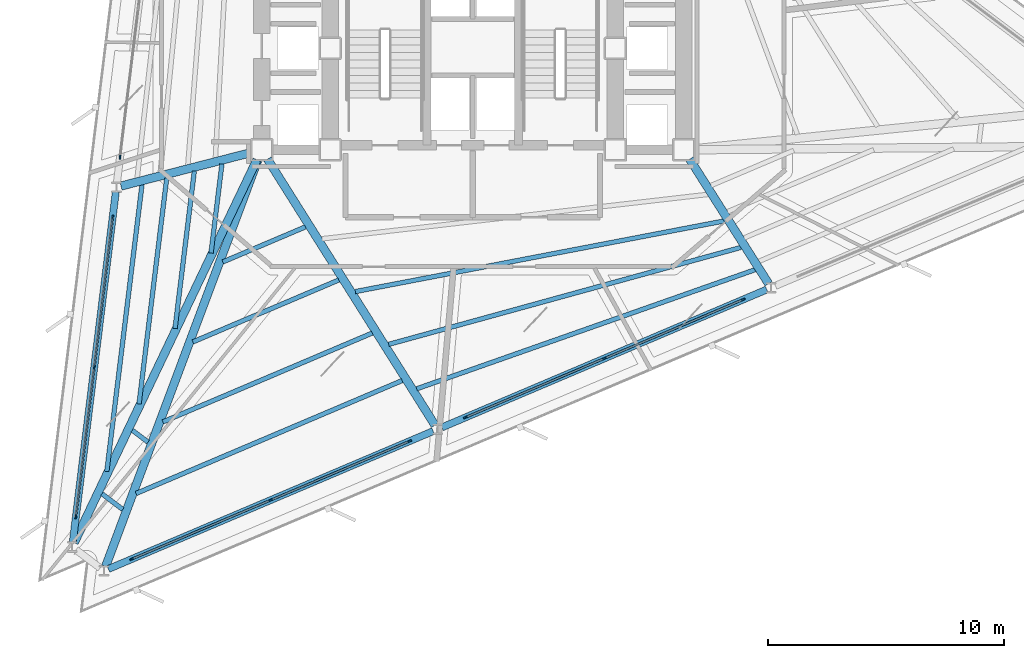
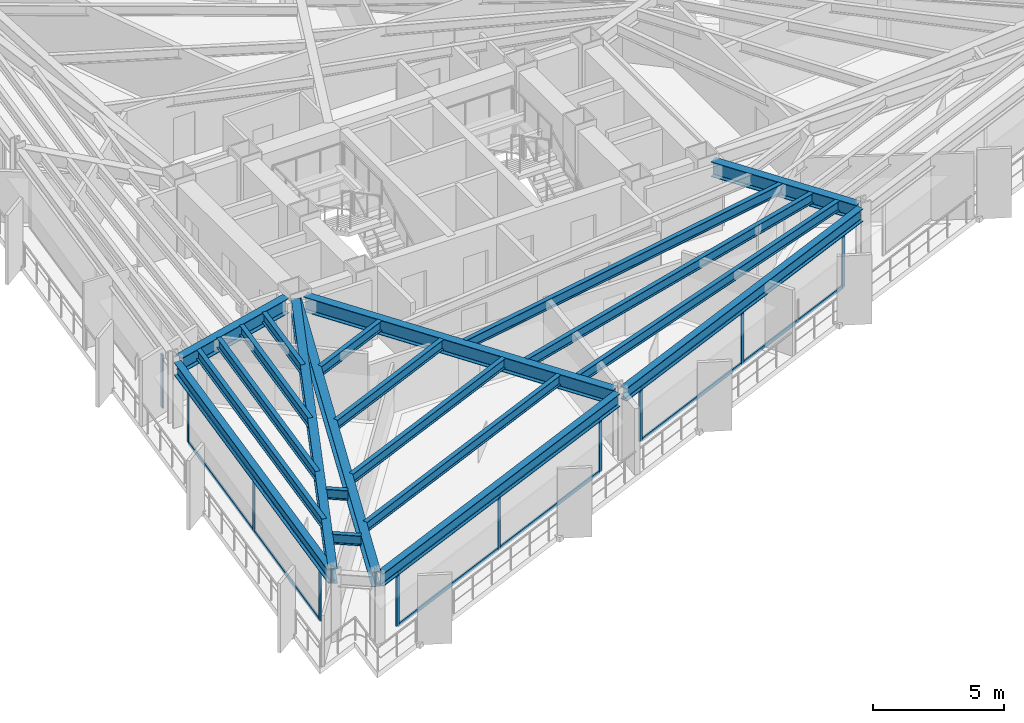
# One storey, part 2 of 13: 22 members, 21 beams, 4 elements without a shape of their own.
"""IFC4 building model written with IfcOpenShell, lengths in metres."""

from ifc_helpers import new_model, si_unit, direction, frame, origin, origin_2d, place, context, subcontext, project, spatial, rectangle, i_section, extrude, material, layer, layer_set, material_profile, profile_set, type_object, element, aggregate, save


model = new_model("IFC4")

# Units and contexts
model_context = context("Model", 3, precision=1e-05, world=origin(), true_north=direction((0.0, 1.0)))
body_context = subcontext(model_context, "Body", "Model", "MODEL_VIEW")
ifc_project = project(units=[si_unit("LENGTHUNIT", "METRE"), si_unit("AREAUNIT", "SQUARE_METRE"), si_unit("VOLUMEUNIT", "CUBIC_METRE"), si_unit("PLANEANGLEUNIT", "RADIAN"), si_unit("MASSUNIT", "GRAM", prefix="KILO")], contexts=[model_context])

# Site, building, storey
site_placement = place(None, origin())
site = spatial("IfcSite", under=ifc_project, at=site_placement, CompositionType="ELEMENT")
building_placement = place(site_placement, origin())
building = spatial("IfcBuilding", under=site, at=building_placement, Name="Rocaltana Carrier Exchange", CompositionType="ELEMENT")
storey_placement = place(building_placement, frame((0.0, 0.0, 63.0400390625)))
storey = spatial("IfcBuildingStorey", under=building, at=storey_placement, Name="L19", CompositionType="ELEMENT", Elevation=63.0400390625)

# Curtain wall, member
ifc_material_1 = material(Name="Aluminium 6063-T6", Category="aluminium")
ifc_layer = layer(ifc_material_1, 0.1650390625)
ifc_layer_set = layer_set([ifc_layer], Name="Aluminium 6063-T6")
curtain_wall_type = type_object("IfcCurtainWallType", Name="Lower-Mid Stepped Curtain Wall CW-02", PredefinedType="NOTDEFINED", material=ifc_layer_set)
curtain_wall_1_placement = place(storey_placement, origin())
curtain_wall_1 = element("IfcCurtainWall", 1, at=curtain_wall_1_placement, inside=storey, type_object=curtain_wall_type, Name="L19 CW-02 Run CW-L19-F2S2", PredefinedType="NOTDEFINED")
ifc_material_2 = material(Name="Aluminium 6063-T6", Category="aluminium")
ifc_material_profile_1 = material_profile(ifc_material_2, rectangle(XDim=0.06494140625, YDim=0.1650390625, at=origin_2d()), Name="AL-65X165")
ifc_profile_set_1 = profile_set([ifc_material_profile_1], Name="Aluminium 6063-T6")
member_type_1 = type_object("IfcMemberType", Name="CW-02 Mullion AL-65X165", PredefinedType="MULLION", material=ifc_profile_set_1)
member_1_placement = place(storey_placement, frame((-14.954345703125, -4.61279296875, 0.0), z_axis=(0.0, 0.0, 1.0), x_axis=(0.992545632614, -0.121873570472, 0.0)))
member_1 = element("IfcMember", 2, at=member_1_placement, type_object=member_type_1, Name="CW-02 mullion 3", PredefinedType="MULLION", context=body_context, shape_type="SweptSolid", body=[
    extrude(rectangle(XDim=0.06494140625, YDim=0.1650390625, at=origin_2d()), origin(), (0.0, 0.0, 1.0), 2.47802734375),
])
aggregate(curtain_wall_1, [member_1])

# Curtain wall, members
curtain_wall_2_placement = place(storey_placement, origin())
curtain_wall_2 = element("IfcCurtainWall", 3, at=curtain_wall_2_placement, inside=storey, type_object=curtain_wall_type, Name="L19 CW-02 Run CW-L19-F2S3", PredefinedType="NOTDEFINED")
member_2_placement = place(storey_placement, frame((-15.266845703125, -7.15869140625, 0.0), z_axis=(0.0, 0.0, 1.0), x_axis=(0.992544692438, -0.121881227076, 0.0)))
member_2 = element("IfcMember", 4, at=member_2_placement, type_object=member_type_1, Name="CW-02 mullion 1", PredefinedType="MULLION", context=body_context, shape_type="SweptSolid", body=[
    extrude(rectangle(XDim=0.06494140625, YDim=0.1650390625, at=origin_2d()), origin(), (0.0, 0.0, 1.0), 2.47802734375),
])
member_3_placement = place(storey_placement, frame((-16.047119140625, -13.51171875, 0.0), z_axis=(0.0, 0.0, 1.0), x_axis=(0.992544692438, -0.121881227076, 0.0)))
member_3 = element("IfcMember", 5, at=member_3_placement, type_object=member_type_1, Name="CW-02 mullion 2", PredefinedType="MULLION", context=body_context, shape_type="SweptSolid", body=[
    extrude(rectangle(XDim=0.06494140625, YDim=0.1650390625, at=origin_2d()), origin(), (0.0, 0.0, 1.0), 2.47802734375),
])
member_4_placement = place(storey_placement, frame((-16.8271484375, -19.86474609375, 0.0), z_axis=(0.0, 0.0, 1.0), x_axis=(0.992544692438, -0.121881227076, 0.0)))
member_4 = element("IfcMember", 6, at=member_4_placement, type_object=member_type_1, Name="CW-02 mullion 3", PredefinedType="MULLION", context=body_context, shape_type="SweptSolid", body=[
    extrude(rectangle(XDim=0.06494140625, YDim=0.1650390625, at=origin_2d()), origin(), (0.0, 0.0, 1.0), 2.47802734375),
])

curtain_wall_3_placement = place(storey_placement, origin())
curtain_wall_3 = element("IfcCurtainWall", 7, at=curtain_wall_3_placement, inside=storey, type_object=curtain_wall_type, Name="L19 CW-02 Run CW-L19-F3S1", PredefinedType="NOTDEFINED")
member_5_placement = place(storey_placement, frame((-14.457275390625, -21.650634765625, 0.0), z_axis=(0.0, 0.0, 1.0), x_axis=(-0.390728673724, 0.920505895435, 0.0)))
member_5 = element("IfcMember", 8, at=member_5_placement, type_object=member_type_1, Name="CW-02 mullion 1", PredefinedType="MULLION", context=body_context, shape_type="SweptSolid", body=[
    extrude(rectangle(XDim=0.06494140625, YDim=0.1650390625, at=origin_2d()), origin(), (0.0, 0.0, 1.0), 2.47802734375),
])
member_6_placement = place(storey_placement, frame((-8.565185546875, -19.149658203125, 0.0), z_axis=(0.0, 0.0, 1.0), x_axis=(-0.390728673724, 0.920505895435, 0.0)))
member_6 = element("IfcMember", 9, at=member_6_placement, type_object=member_type_1, Name="CW-02 mullion 2", PredefinedType="MULLION", context=body_context, shape_type="SweptSolid", body=[
    extrude(rectangle(XDim=0.06494140625, YDim=0.1650390625, at=origin_2d()), origin(), (0.0, 0.0, 1.0), 2.47802734375),
])
member_7_placement = place(storey_placement, frame((-2.673095703125, -16.648681640625, 0.0), z_axis=(0.0, 0.0, 1.0), x_axis=(-0.390728673724, 0.920505895435, 0.0)))
member_7 = element("IfcMember", 10, at=member_7_placement, type_object=member_type_1, Name="CW-02 mullion 3", PredefinedType="MULLION", context=body_context, shape_type="SweptSolid", body=[
    extrude(rectangle(XDim=0.06494140625, YDim=0.1650390625, at=origin_2d()), origin(), (0.0, 0.0, 1.0), 2.47802734375),
])

curtain_wall_4_placement = place(storey_placement, origin())
curtain_wall_4 = element("IfcCurtainWall", 11, at=curtain_wall_4_placement, inside=storey, type_object=curtain_wall_type, Name="L19 CW-02 Run CW-L19-F3S2", PredefinedType="NOTDEFINED")
member_8_placement = place(storey_placement, frame((-0.31201171875, -15.646484375, 0.0), z_axis=(0.0, 0.0, 1.0), x_axis=(-0.390728673724, 0.920505895435, 0.0)))
member_8 = element("IfcMember", 12, at=member_8_placement, type_object=member_type_1, Name="CW-02 mullion 1", PredefinedType="MULLION", context=body_context, shape_type="SweptSolid", body=[
    extrude(rectangle(XDim=0.06494140625, YDim=0.1650390625, at=origin_2d()), origin(), (0.0, 0.0, 1.0), 2.47802734375),
])
member_9_placement = place(storey_placement, frame((5.579833984375, -13.1455078125, 0.0), z_axis=(0.0, 0.0, 1.0), x_axis=(-0.390728673724, 0.920505895435, 0.0)))
member_9 = element("IfcMember", 13, at=member_9_placement, type_object=member_type_1, Name="CW-02 mullion 2", PredefinedType="MULLION", context=body_context, shape_type="SweptSolid", body=[
    extrude(rectangle(XDim=0.06494140625, YDim=0.1650390625, at=origin_2d()), origin(), (0.0, 0.0, 1.0), 2.47802734375),
])
member_10_placement = place(storey_placement, frame((11.471923828125, -10.64453125, 0.0), z_axis=(0.0, 0.0, 1.0), x_axis=(-0.390728673724, 0.920505895435, 0.0)))
member_10 = element("IfcMember", 14, at=member_10_placement, type_object=member_type_1, Name="CW-02 mullion 3", PredefinedType="MULLION", context=body_context, shape_type="SweptSolid", body=[
    extrude(rectangle(XDim=0.06494140625, YDim=0.1650390625, at=origin_2d()), origin(), (0.0, 0.0, 1.0), 2.47802734375),
])

# Member
ifc_material_3 = material(Name="Aluminium 6063-T6", Category="aluminium")
ifc_material_profile_2 = material_profile(ifc_material_3, rectangle(XDim=0.06494140625, YDim=0.1650390625, at=origin_2d()), Name="AL-65X165")
ifc_profile_set_2 = profile_set([ifc_material_profile_2], Name="Aluminium 6063-T6")
member_type_2 = type_object("IfcMemberType", Name="CW-02 Transom AL-65X165", PredefinedType="USERDEFINED", material=ifc_profile_set_2)
member_11_placement = place(storey_placement, frame((-15.270751953125, -7.19091796875, 0.032470703125), z_axis=(-0.121881311797, -0.992544682034, 0.0), x_axis=(0.992544682034, -0.121881311797, 0.0)))
member_11 = element("IfcMember", 15, at=member_11_placement, type_object=member_type_2, Name="CW-02 transom 1.1", ObjectType="TRANSOM", PredefinedType="USERDEFINED", context=body_context, shape_type="SweptSolid", body=[
    extrude(rectangle(XDim=0.06494140625, YDim=0.1650390625, at=origin_2d()), origin(), (0.0, 0.0, 1.0), 6.335693359375),
])

member_12_placement = place(storey_placement, frame((-15.270751953125, -7.19091796875, 2.445556640625), z_axis=(-0.121881311797, -0.992544682034, 0.0), x_axis=(0.992544682034, -0.121881311797, 0.0)))
member_12 = element("IfcMember", 16, at=member_12_placement, type_object=member_type_2, Name="CW-02 transom 1.2", ObjectType="TRANSOM", PredefinedType="USERDEFINED", context=body_context, shape_type="SweptSolid", body=[
    extrude(rectangle(XDim=0.06494140625, YDim=0.1650390625, at=origin_2d()), origin(), (0.0, 0.0, 1.0), 6.335693359375),
])

member_13_placement = place(storey_placement, frame((-16.051025390625, -13.5439453125, 0.032470703125), z_axis=(-0.121881311797, -0.992544682034, 0.0), x_axis=(0.992544682034, -0.121881311797, 0.0)))
member_13 = element("IfcMember", 17, at=member_13_placement, type_object=member_type_2, Name="CW-02 transom 2.1", ObjectType="TRANSOM", PredefinedType="USERDEFINED", context=body_context, shape_type="SweptSolid", body=[
    extrude(rectangle(XDim=0.06494140625, YDim=0.1650390625, at=origin_2d()), origin(), (0.0, 0.0, 1.0), 6.335693359375),
])

member_14_placement = place(storey_placement, frame((-16.051025390625, -13.5439453125, 2.445556640625), z_axis=(-0.121881311797, -0.992544682034, 0.0), x_axis=(0.992544682034, -0.121881311797, 0.0)))
member_14 = element("IfcMember", 18, at=member_14_placement, type_object=member_type_2, Name="CW-02 transom 2.2", ObjectType="TRANSOM", PredefinedType="USERDEFINED", context=body_context, shape_type="SweptSolid", body=[
    extrude(rectangle(XDim=0.06494140625, YDim=0.1650390625, at=origin_2d()), origin(), (0.0, 0.0, 1.0), 6.335693359375),
])

aggregate(curtain_wall_2, [member_2, member_3, member_4, member_11, member_12, member_13, member_14])

member_15_placement = place(storey_placement, frame((-14.42724609375, -21.637939453125, 0.032470703125), z_axis=(0.920508718486, 0.390722022916, 0.0), x_axis=(-0.390722022916, 0.920508718486, 0.0)))
member_15 = element("IfcMember", 19, at=member_15_placement, type_object=member_type_2, Name="CW-02 transom 1.1", ObjectType="TRANSOM", PredefinedType="USERDEFINED", context=body_context, shape_type="SweptSolid", body=[
    extrude(rectangle(XDim=0.06494140625, YDim=0.1650390625, at=origin_2d()), origin(), (0.0, 0.0, 1.0), 6.3359375),
])

member_16_placement = place(storey_placement, frame((-14.42724609375, -21.637939453125, 2.445556640625), z_axis=(0.920508718486, 0.390722022916, 0.0), x_axis=(-0.390722022916, 0.920508718486, 0.0)))
member_16 = element("IfcMember", 20, at=member_16_placement, type_object=member_type_2, Name="CW-02 transom 1.2", ObjectType="TRANSOM", PredefinedType="USERDEFINED", context=body_context, shape_type="SweptSolid", body=[
    extrude(rectangle(XDim=0.06494140625, YDim=0.1650390625, at=origin_2d()), origin(), (0.0, 0.0, 1.0), 6.3359375),
])

member_17_placement = place(storey_placement, frame((-8.53515625, -19.136962890625, 0.032470703125), z_axis=(0.920502835622, 0.390735882167, 0.0), x_axis=(-0.390735882167, 0.920502835622, 0.0)))
member_17 = element("IfcMember", 21, at=member_17_placement, type_object=member_type_2, Name="CW-02 transom 2.1", ObjectType="TRANSOM", PredefinedType="USERDEFINED", context=body_context, shape_type="SweptSolid", body=[
    extrude(rectangle(XDim=0.06494140625, YDim=0.1650390625, at=origin_2d()), origin(), (0.0, 0.0, 1.0), 6.335693359375),
])

member_18_placement = place(storey_placement, frame((-8.53515625, -19.136962890625, 2.445556640625), z_axis=(0.920502835622, 0.390735882167, 0.0), x_axis=(-0.390735882167, 0.920502835622, 0.0)))
member_18 = element("IfcMember", 22, at=member_18_placement, type_object=member_type_2, Name="CW-02 transom 2.2", ObjectType="TRANSOM", PredefinedType="USERDEFINED", context=body_context, shape_type="SweptSolid", body=[
    extrude(rectangle(XDim=0.06494140625, YDim=0.1650390625, at=origin_2d()), origin(), (0.0, 0.0, 1.0), 6.335693359375),
])

aggregate(curtain_wall_3, [member_5, member_6, member_7, member_15, member_16, member_17, member_18])

member_19_placement = place(storey_placement, frame((-0.2822265625, -15.6337890625, 0.032470703125), z_axis=(0.920508718486, 0.390722022916, 0.0), x_axis=(-0.390722022916, 0.920508718486, 0.0)))
member_19 = element("IfcMember", 23, at=member_19_placement, type_object=member_type_2, Name="CW-02 transom 1.1", ObjectType="TRANSOM", PredefinedType="USERDEFINED", context=body_context, shape_type="SweptSolid", body=[
    extrude(rectangle(XDim=0.06494140625, YDim=0.1650390625, at=origin_2d()), origin(), (0.0, 0.0, 1.0), 6.3359375),
])

member_20_placement = place(storey_placement, frame((-0.2822265625, -15.6337890625, 2.445556640625), z_axis=(0.920508718486, 0.390722022916, 0.0), x_axis=(-0.390722022916, 0.920508718486, 0.0)))
member_20 = element("IfcMember", 24, at=member_20_placement, type_object=member_type_2, Name="CW-02 transom 1.2", ObjectType="TRANSOM", PredefinedType="USERDEFINED", context=body_context, shape_type="SweptSolid", body=[
    extrude(rectangle(XDim=0.06494140625, YDim=0.1650390625, at=origin_2d()), origin(), (0.0, 0.0, 1.0), 6.3359375),
])

member_21_placement = place(storey_placement, frame((5.60986328125, -13.1328125, 0.032470703125), z_axis=(0.920508718486, 0.390722022916, 0.0), x_axis=(-0.390722022916, 0.920508718486, 0.0)))
member_21 = element("IfcMember", 25, at=member_21_placement, type_object=member_type_2, Name="CW-02 transom 2.1", ObjectType="TRANSOM", PredefinedType="USERDEFINED", context=body_context, shape_type="SweptSolid", body=[
    extrude(rectangle(XDim=0.06494140625, YDim=0.1650390625, at=origin_2d()), origin(), (0.0, 0.0, 1.0), 6.3359375),
])

member_22_placement = place(storey_placement, frame((5.60986328125, -13.1328125, 2.445556640625), z_axis=(0.920508718486, 0.390722022916, 0.0), x_axis=(-0.390722022916, 0.920508718486, 0.0)))
member_22 = element("IfcMember", 26, at=member_22_placement, type_object=member_type_2, Name="CW-02 transom 2.2", ObjectType="TRANSOM", PredefinedType="USERDEFINED", context=body_context, shape_type="SweptSolid", body=[
    extrude(rectangle(XDim=0.06494140625, YDim=0.1650390625, at=origin_2d()), origin(), (0.0, 0.0, 1.0), 6.3359375),
])

aggregate(curtain_wall_4, [member_8, member_9, member_10, member_19, member_20, member_21, member_22])

# Beams
ifc_material_4 = material(Name="Steel S355", Category="steel")
ifc_material_profile_3 = material_profile(ifc_material_4, i_section(OverallWidth=0.193115234375, OverallDepth=0.466064453125, WebThickness=0.011474609375, FlangeThickness=0.01904296875, FilletRadius=0.013916015625, at=origin_2d()), Name="W18X65")
ifc_profile_set_3 = profile_set([ifc_material_profile_3], Name="Steel S355")
beam_type_1 = type_object("IfcBeamType", Name="Floor Joist W18X65", PredefinedType="JOIST", material=ifc_profile_set_3)
beam_1_placement = place(storey_placement, frame((-10.63427734375, -4.8984375, 2.864990234375), z_axis=(-0.121879106214, -0.99254495287, 0.0), x_axis=(0.99254495287, -0.121879106214, 0.0)))
element("IfcBeam", 27, at=beam_1_placement, inside=storey, type_object=beam_type_1, Name="FJ-L19-07-1", PredefinedType="JOIST", context=body_context, shape_type="SweptSolid", body=[
    extrude(i_section(OverallWidth=0.193115234375, OverallDepth=0.466064453125, WebThickness=0.011474609375, FlangeThickness=0.01904296875, FilletRadius=0.013916015625, at=origin_2d()), origin(), (0.0, 0.0, 1.0), 3.805908203125),
])
beam_2_placement = place(storey_placement, frame((-11.8046875, -5.19970703125, 2.864990234375), z_axis=(-0.121894438401, -0.992543070041, 0.0), x_axis=(0.992543070041, -0.121894438401, 0.0)))
element("IfcBeam", 28, at=beam_2_placement, inside=storey, type_object=beam_type_1, Name="FJ-L19-07-2", PredefinedType="JOIST", context=body_context, shape_type="SweptSolid", body=[
    extrude(i_section(OverallWidth=0.193115234375, OverallDepth=0.466064453125, WebThickness=0.011474609375, FlangeThickness=0.01904296875, FilletRadius=0.013916015625, at=origin_2d()), origin(), (0.0, 0.0, 1.0), 6.7255859375),
])
beam_3_placement = place(storey_placement, frame((-12.975341796875, -5.5009765625, 2.864990234375), z_axis=(-0.121878614676, -0.992545013228, 0.0), x_axis=(0.992545013228, -0.121878614676, 0.0)))
element("IfcBeam", 29, at=beam_3_placement, inside=storey, type_object=beam_type_1, Name="FJ-L19-07-3", PredefinedType="JOIST", context=body_context, shape_type="SweptSolid", body=[
    extrude(i_section(OverallWidth=0.193115234375, OverallDepth=0.466064453125, WebThickness=0.011474609375, FlangeThickness=0.01904296875, FilletRadius=0.013916015625, at=origin_2d()), origin(), (0.0, 0.0, 1.0), 9.645263671875),
])
beam_4_placement = place(storey_placement, frame((-14.022705078125, -5.7705078125, 2.864990234375), z_axis=(-0.121874778131, -0.992545484326, 0.0), x_axis=(0.992545484326, -0.121874778131, 0.0)))
element("IfcBeam", 30, at=beam_4_placement, inside=storey, type_object=beam_type_1, Name="FJ-L19-07-4", PredefinedType="JOIST", context=body_context, shape_type="SweptSolid", body=[
    extrude(i_section(OverallWidth=0.193115234375, OverallDepth=0.466064453125, WebThickness=0.011474609375, FlangeThickness=0.01904296875, FilletRadius=0.013916015625, at=origin_2d()), origin(), (0.0, 0.0, 1.0), 12.257568359375),
])
beam_5_placement = place(storey_placement, frame((-14.436279296875, -16.189697265625, 2.864990234375), z_axis=(0.798596771992, -0.601866426845, 0.0), x_axis=(0.601866426845, 0.798596771992, 0.0)))
element("IfcBeam", 31, at=beam_5_placement, inside=storey, type_object=beam_type_1, Name="FJ-L19-08-3", PredefinedType="JOIST", context=body_context, shape_type="SweptSolid", body=[
    extrude(i_section(OverallWidth=0.193115234375, OverallDepth=0.466064453125, WebThickness=0.011474609375, FlangeThickness=0.01904296875, FilletRadius=0.013916015625, at=origin_2d()), origin(), (0.0, 0.0, 1.0), 0.83642578125),
])
beam_6_placement = place(storey_placement, frame((-15.7216796875, -18.8837890625, 2.864990234375), z_axis=(0.798673550691, -0.601764538193, 0.0), x_axis=(0.601764538193, 0.798673550691, 0.0)))
element("IfcBeam", 32, at=beam_6_placement, inside=storey, type_object=beam_type_1, Name="FJ-L19-08-4", PredefinedType="JOIST", context=body_context, shape_type="SweptSolid", body=[
    extrude(i_section(OverallWidth=0.193115234375, OverallDepth=0.466064453125, WebThickness=0.011474609375, FlangeThickness=0.01904296875, FilletRadius=0.013916015625, at=origin_2d()), origin(), (0.0, 0.0, 1.0), 1.10595703125),
])
beam_7_placement = place(storey_placement, frame((-10.597900390625, -9.052978515625, 2.864990234375), z_axis=(0.920509781797, 0.390719517834, 0.0), x_axis=(-0.390719517834, 0.920509781797, 0.0)))
element("IfcBeam", 33, at=beam_7_placement, inside=storey, type_object=beam_type_1, Name="FJ-L19-09-1", PredefinedType="JOIST", context=body_context, shape_type="SweptSolid", body=[
    extrude(i_section(OverallWidth=0.193115234375, OverallDepth=0.466064453125, WebThickness=0.011474609375, FlangeThickness=0.01904296875, FilletRadius=0.013916015625, at=origin_2d()), origin(), (0.0, 0.0, 1.0), 3.805908203125),
])
beam_8_placement = place(storey_placement, frame((-11.868408203125, -12.44482421875, 2.864990234375), z_axis=(0.920502665094, 0.390736283898, 0.0), x_axis=(-0.390736283898, 0.920502665094, 0.0)))
element("IfcBeam", 34, at=beam_8_placement, inside=storey, type_object=beam_type_1, Name="FJ-L19-09-2", PredefinedType="JOIST", context=body_context, shape_type="SweptSolid", body=[
    extrude(i_section(OverallWidth=0.193115234375, OverallDepth=0.466064453125, WebThickness=0.011474609375, FlangeThickness=0.01904296875, FilletRadius=0.013916015625, at=origin_2d()), origin(), (0.0, 0.0, 1.0), 6.7255859375),
])
beam_9_placement = place(storey_placement, frame((-13.13916015625, -15.836669921875, 2.864990234375), z_axis=(0.920512824991, 0.390712348188, 0.0), x_axis=(-0.390712348188, 0.920512824991, 0.0)))
element("IfcBeam", 35, at=beam_9_placement, inside=storey, type_object=beam_type_1, Name="FJ-L19-09-3", PredefinedType="JOIST", context=body_context, shape_type="SweptSolid", body=[
    extrude(i_section(OverallWidth=0.193115234375, OverallDepth=0.466064453125, WebThickness=0.011474609375, FlangeThickness=0.01904296875, FilletRadius=0.013916015625, at=origin_2d()), origin(), (0.0, 0.0, 1.0), 9.645263671875),
])
beam_10_placement = place(storey_placement, frame((-14.27587890625, -18.87158203125, 2.864990234375), z_axis=(0.92049843191, 0.39074625635, 0.0), x_axis=(-0.39074625635, 0.92049843191, 0.0)))
element("IfcBeam", 36, at=beam_10_placement, inside=storey, type_object=beam_type_1, Name="FJ-L19-09-4", PredefinedType="JOIST", context=body_context, shape_type="SweptSolid", body=[
    extrude(i_section(OverallWidth=0.193115234375, OverallDepth=0.466064453125, WebThickness=0.011474609375, FlangeThickness=0.01904296875, FilletRadius=0.013916015625, at=origin_2d()), origin(), (0.0, 0.0, 1.0), 12.25732421875),
])
beam_11_placement = place(storey_placement, frame((-4.978271484375, -10.31005859375, 2.864990234375), z_axis=(0.982142482744, 0.188138628647, 0.0), x_axis=(-0.188138628647, 0.982142482744, 0.0)))
element("IfcBeam", 37, at=beam_11_placement, inside=storey, type_object=beam_type_1, Name="FJ-L19-10-2", PredefinedType="JOIST", context=body_context, shape_type="SweptSolid", body=[
    extrude(i_section(OverallWidth=0.193115234375, OverallDepth=0.466064453125, WebThickness=0.011474609375, FlangeThickness=0.01904296875, FilletRadius=0.013916015625, at=origin_2d()), origin(), (0.0, 0.0, 1.0), 15.9326171875),
])
beam_12_placement = place(storey_placement, frame((-3.564453125, -12.5478515625, 2.864990234375), z_axis=(0.964150794225, 0.265354943415, 0.0), x_axis=(-0.265354943415, 0.964150794225, 0.0)))
element("IfcBeam", 38, at=beam_12_placement, inside=storey, type_object=beam_type_1, Name="FJ-L19-10-3", PredefinedType="JOIST", context=body_context, shape_type="SweptSolid", body=[
    extrude(i_section(OverallWidth=0.193115234375, OverallDepth=0.466064453125, WebThickness=0.011474609375, FlangeThickness=0.01904296875, FilletRadius=0.013916015625, at=origin_2d()), origin(), (0.0, 0.0, 1.0), 15.496337890625),
])
beam_13_placement = place(storey_placement, frame((-2.375, -14.431884765625, 2.864990234375), z_axis=(0.943283630241, 0.331987940924, 0.0), x_axis=(-0.331987940924, 0.943283630241, 0.0)))
element("IfcBeam", 39, at=beam_13_placement, inside=storey, type_object=beam_type_1, Name="FJ-L19-10-4", PredefinedType="JOIST", context=body_context, shape_type="SweptSolid", body=[
    extrude(i_section(OverallWidth=0.193115234375, OverallDepth=0.466064453125, WebThickness=0.011474609375, FlangeThickness=0.01904296875, FilletRadius=0.013916015625, at=origin_2d()), origin(), (0.0, 0.0, 1.0), 15.2099609375),
])
ifc_material_5 = material(Name="Steel S355", Category="steel")
ifc_material_profile_4 = material_profile(ifc_material_5, i_section(OverallWidth=0.35498046875, OverallDepth=0.695068359375, WebThickness=0.015380859375, FlangeThickness=0.02490234375, FilletRadius=0.01806640625, at=origin_2d()), Name="W27X146")
ifc_profile_set_4 = profile_set([ifc_material_profile_4], Name="Steel S355")
beam_type_2 = type_object("IfcBeamType", Name="Radial Girder W27X146", PredefinedType="BEAM", material=ifc_profile_set_4)
beam_14_placement = place(storey_placement, frame((-9.40234375, -4.41650390625, 2.75048828125), z_axis=(-0.9684340996, -0.249269722856, 0.0), x_axis=(0.249269722856, -0.9684340996, 0.0)))
element("IfcBeam", 40, at=beam_14_placement, inside=storey, type_object=beam_type_2, Name="RG-L19-07", PredefinedType="BEAM", context=body_context, shape_type="SweptSolid", body=[
    extrude(i_section(OverallWidth=0.35498046875, OverallDepth=0.695068359375, WebThickness=0.015380859375, FlangeThickness=0.02490234375, FilletRadius=0.01806640625, at=origin_2d()), origin(), (0.0, 0.0, 1.0), 5.693359375),
])
beam_15_placement = place(storey_placement, frame((-9.151123046875, -4.721435546875, 2.75048828125), z_axis=(-0.430600446269, -0.902542661414, 0.0), x_axis=(0.902542661414, -0.430600446269, 0.0)))
element("IfcBeam", 41, at=beam_15_placement, inside=storey, type_object=beam_type_2, Name="RG-L19-08", PredefinedType="BEAM", context=body_context, shape_type="SweptSolid", body=[
    extrude(i_section(OverallWidth=0.35498046875, OverallDepth=0.695068359375, WebThickness=0.015380859375, FlangeThickness=0.02490234375, FilletRadius=0.01806640625, at=origin_2d()), origin(), (0.0, 0.0, 1.0), 17.988037109375),
])
beam_16_placement = place(storey_placement, frame((-9.11376953125, -4.7373046875, 2.75048828125), z_axis=(-0.350813625712, -0.936445300065, 0.0), x_axis=(0.936445300065, -0.350813625712, 0.0)))
element("IfcBeam", 42, at=beam_16_placement, inside=storey, type_object=beam_type_2, Name="RG-L19-09", PredefinedType="BEAM", context=body_context, shape_type="SweptSolid", body=[
    extrude(i_section(OverallWidth=0.35498046875, OverallDepth=0.695068359375, WebThickness=0.015380859375, FlangeThickness=0.02490234375, FilletRadius=0.01806640625, at=origin_2d()), origin(), (0.0, 0.0, 1.0), 18.3955078125),
])
beam_17_placement = place(storey_placement, frame((-8.701171875, -4.6953125, 2.75048828125), z_axis=(0.532702520737, -0.846302560791, 0.0), x_axis=(0.846302560791, 0.532702520737, 0.0)))
element("IfcBeam", 43, at=beam_17_placement, inside=storey, type_object=beam_type_2, Name="RG-L19-10", PredefinedType="BEAM", context=body_context, shape_type="SweptSolid", body=[
    extrude(i_section(OverallWidth=0.35498046875, OverallDepth=0.695068359375, WebThickness=0.015380859375, FlangeThickness=0.02490234375, FilletRadius=0.01806640625, at=origin_2d()), origin(), (0.0, 0.0, 1.0), 13.331298828125),
])
beam_18_placement = place(storey_placement, frame((9.199951171875, -4.694580078125, 2.75048828125), z_axis=(0.535231440371, -0.844705454722, 0.0), x_axis=(0.844705454722, 0.535231440371, 0.0)))
element("IfcBeam", 44, at=beam_18_placement, inside=storey, type_object=beam_type_2, Name="RG-L19-11", PredefinedType="BEAM", context=body_context, shape_type="SweptSolid", body=[
    extrude(i_section(OverallWidth=0.35498046875, OverallDepth=0.695068359375, WebThickness=0.015380859375, FlangeThickness=0.02490234375, FilletRadius=0.01806640625, at=origin_2d()), origin(), (0.0, 0.0, 1.0), 6.24951171875),
])
ifc_material_6 = material(Name="Steel S355", Category="steel")
ifc_material_profile_5 = material_profile(ifc_material_6, i_section(OverallWidth=0.300048828125, OverallDepth=0.60009765625, WebThickness=0.015380859375, FlangeThickness=0.030029296875, FilletRadius=0.027099609375, at=origin_2d()), Name="HEB600")
ifc_profile_set_5 = profile_set([ifc_material_profile_5], Name="Steel S355")
beam_type_3 = type_object("IfcBeamType", Name="Spandrel Edge Beam HEB600", PredefinedType="SPANDREL", material=ifc_profile_set_5)
beam_19_placement = place(storey_placement, frame((-15.135009765625, -6.085205078125, 2.7978515625), z_axis=(-0.12188594414, -0.992544113186, 0.0), x_axis=(0.992544113186, -0.12188594414, 0.0)))
element("IfcBeam", 45, at=beam_19_placement, inside=storey, type_object=beam_type_3, Name="SP-L19-07", PredefinedType="SPANDREL", context=body_context, shape_type="SweptSolid", body=[
    extrude(i_section(OverallWidth=0.300048828125, OverallDepth=0.60009765625, WebThickness=0.015380859375, FlangeThickness=0.030029296875, FilletRadius=0.027099609375, at=origin_2d()), origin(), (0.0, 0.0, 1.0), 14.964599609375),
])
for number, where, z_axis, x_axis, name in (
    (46, (-15.45263671875, -22.0732421875, 2.7978515625), (0.920505689933, 0.390729157859, 0.0), (-0.390729157859, 0.920505689933, 0.0), "SP-L19-09"),
    (47, (-1.3076171875, -16.069091796875, 2.7978515625), (0.920505689933, 0.390729157859, 0.0), (-0.390729157859, 0.920505689933, 0.0), "SP-L19-10"),
):
    element("IfcBeam", number, at=place(storey_placement, frame(where, z_axis=z_axis, x_axis=x_axis)), inside=storey, type_object=beam_type_3, Name=name, PredefinedType="SPANDREL", context=body_context, shape_type="SweptSolid", body=[
        extrude(i_section(OverallWidth=0.300048828125, OverallDepth=0.60009765625, WebThickness=0.015380859375, FlangeThickness=0.030029296875, FilletRadius=0.027099609375, at=origin_2d()), origin(), (0.0, 0.0, 1.0), 14.96484375),
    ])

save(model, "model.ifc")
